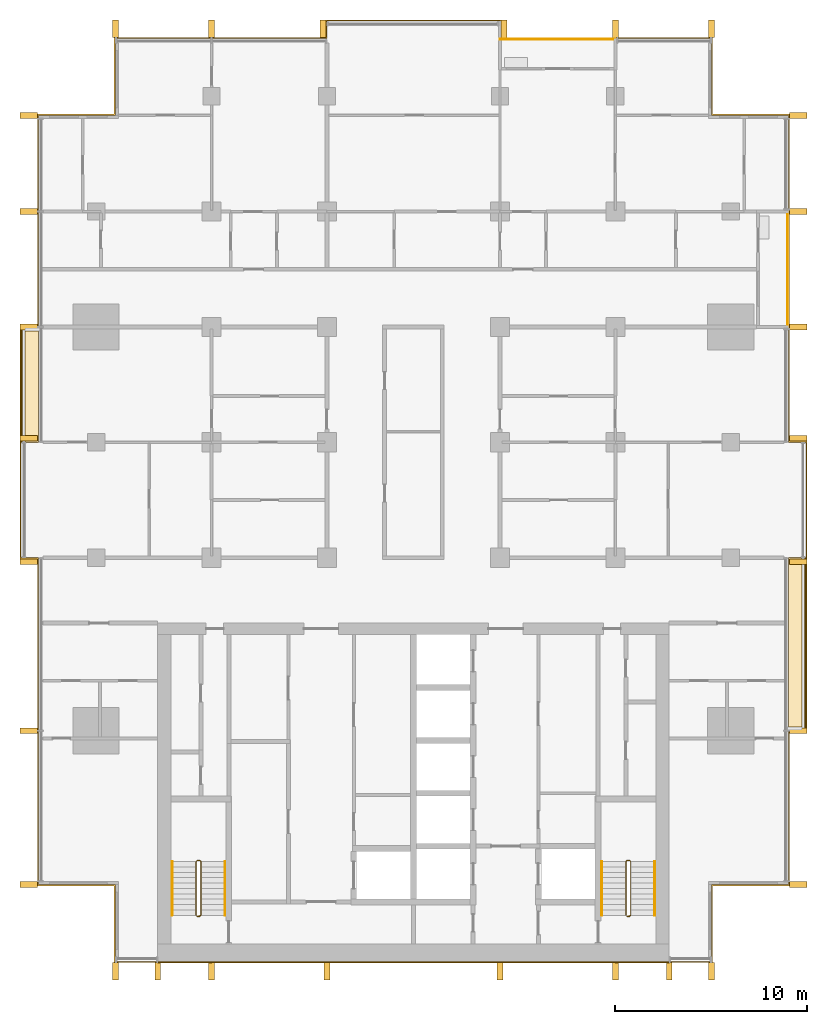
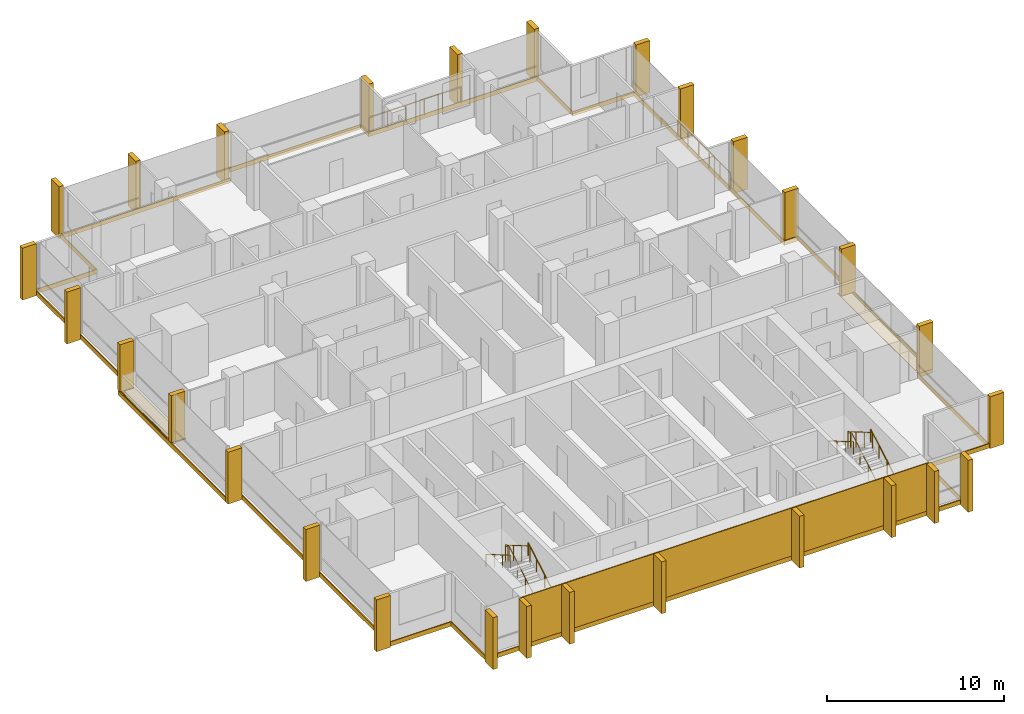
# One storey, part 17 of 17: 28 shading devices, 10 coverings, 8 railings.
"""IFC4 building model written with IfcOpenShell, lengths in metres."""

from ifc_helpers import new_model, si_unit, direction, frame, origin, origin_2d, place, context, subcontext, project, spatial, polyline, rectangle, circle, outline, extrude, material, layer, layer_set, type_object, element, save


model = new_model("IFC4")

# Units and contexts
model_context = context("Model", 3, precision=1e-05, world=origin(), true_north=direction((0.0, 1.0)))
body_context = subcontext(model_context, "Body", "Model", "MODEL_VIEW")
ifc_project = project(units=[si_unit("LENGTHUNIT", "METRE"), si_unit("AREAUNIT", "SQUARE_METRE"), si_unit("VOLUMEUNIT", "CUBIC_METRE"), si_unit("PLANEANGLEUNIT", "RADIAN"), si_unit("MASSUNIT", "GRAM", prefix="KILO")], contexts=[model_context])

# Site, building, storey
site_placement = place(None, origin())
site = spatial("IfcSite", under=ifc_project, at=site_placement, CompositionType="ELEMENT")
building_placement = place(site_placement, origin())
building = spatial("IfcBuilding", under=site, at=building_placement, Name="Finial Court Residences", CompositionType="ELEMENT")
storey_placement = place(building_placement, frame((0.0, 0.0, 170.89990234375)))
storey = spatial("IfcBuildingStorey", under=building, at=storey_placement, Name="L42", CompositionType="ELEMENT", Elevation=170.89990234375)

# Railings
ifc_material_1 = material(Name="Bronze anodised aluminium", Category="aluminium")
railing_type_1 = type_object("IfcRailingType", Name="Balcony guard 1100", PredefinedType="GUARDRAIL", material=ifc_material_1)
railing_1_placement = place(storey_placement, frame((4.5, 22.449951171875, 0.0)))
element("IfcRailing", 1, at=railing_1_placement, inside=storey, type_object=railing_type_1, Name="E-L42-BALN4-R", PredefinedType="GUARDRAIL", context=body_context, shape_type="SweptSolid", body=[
    extrude(circle(Radius=0.02392578125, at=origin_2d()), frame((0.0, 0.0, 1.076171875), z_axis=(1.0, 0.0, 0.0), x_axis=(0.0, 1.0, 0.0)), (0.0, 0.0, 1.0), 6.0),
    extrude(circle(Radius=0.02099609375, at=origin_2d()), origin(), (0.0, 0.0, 1.0), 1.052001953125),
    extrude(circle(Radius=0.02099609375, at=origin_2d()), frame((1.199951171875, 0.0, 0.0)), (0.0, 0.0, 1.0), 1.052001953125),
    extrude(circle(Radius=0.02099609375, at=origin_2d()), frame((2.39990234375, 0.0, 0.0)), (0.0, 0.0, 1.0), 1.052001953125),
    extrude(circle(Radius=0.02099609375, at=origin_2d()), frame((3.60009765625, 0.0, 0.0)), (0.0, 0.0, 1.0), 1.052001953125),
    extrude(circle(Radius=0.02099609375, at=origin_2d()), frame((4.800048828125, 0.0, 0.0)), (0.0, 0.0, 1.0), 1.052001953125),
    extrude(circle(Radius=0.02099609375, at=origin_2d()), frame((6.0, 0.0, 0.0)), (0.0, 0.0, 1.0), 1.052001953125),
])
railing_2_placement = place(storey_placement, frame((19.449951171875, 7.5, 0.0)))
element("IfcRailing", 2, at=railing_2_placement, inside=storey, type_object=railing_type_1, Name="E-L42-BALE5-R", PredefinedType="GUARDRAIL", context=body_context, shape_type="SweptSolid", body=[
    extrude(circle(Radius=0.02392578125, at=origin_2d()), frame((0.0, 0.0, 1.076171875), z_axis=(0.0, 1.0, 0.0), x_axis=(-1.0, 0.0, 0.0)), (0.0, 0.0, 1.0), 6.0),
    extrude(circle(Radius=0.02099609375, at=origin_2d()), origin(), (0.0, 0.0, 1.0), 1.052001953125),
    extrude(circle(Radius=0.02099609375, at=origin_2d()), frame((0.0, 1.199951171875, 0.0)), (0.0, 0.0, 1.0), 1.052001953125),
    extrude(circle(Radius=0.02099609375, at=origin_2d()), frame((0.0, 2.39990234375, 0.0)), (0.0, 0.0, 1.0), 1.052001953125),
    extrude(circle(Radius=0.02099609375, at=origin_2d()), frame((0.0, 3.60009765625, 0.0)), (0.0, 0.0, 1.0), 1.052001953125),
    extrude(circle(Radius=0.02099609375, at=origin_2d()), frame((0.0, 4.800048828125, 0.0)), (0.0, 0.0, 1.0), 1.052001953125),
    extrude(circle(Radius=0.02099609375, at=origin_2d()), frame((0.0, 6.0, 0.0)), (0.0, 0.0, 1.0), 1.052001953125),
])

# Coverings
ifc_material_2 = material(Name="Natural limestone", Category="masonry")
ifc_layer_1 = layer(ifc_material_2, 0.06005859375)
ifc_layer_set_1 = layer_set([ifc_layer_1], Name="Limestone cladding to the blind core face 60")
covering_type_1 = type_object("IfcCoveringType", Name="Limestone cladding to the blind core face 60", PredefinedType="CLADDING", material=ifc_layer_set_1)
covering_1_placement = place(storey_placement, origin())
element("IfcCovering", 3, at=covering_1_placement, inside=storey, type_object=covering_type_1, Name="E-L42-CLAD1", PredefinedType="CLADDING", context=body_context, shape_type="SweptSolid", body=[
    extrude(outline(polyline([(-10.5, -25.56005859375), (-10.5, -25.5), (-13.300048828125, -25.5), (-13.300048828125, -25.56005859375), (-10.5, -25.56005859375)])), origin(), (0.0, 0.0, 1.0), 3.300048828125),
])
covering_2_placement = place(storey_placement, origin())
element("IfcCovering", 4, at=covering_2_placement, inside=storey, type_object=covering_type_1, Name="E-L42-CLAD2", PredefinedType="CLADDING", context=body_context, shape_type="SweptSolid", body=[
    extrude(outline(polyline([(-4.5, -25.56005859375), (-4.5, -25.5), (-10.5, -25.5), (-10.5, -25.56005859375), (-4.5, -25.56005859375)])), origin(), (0.0, 0.0, 1.0), 3.300048828125),
])
covering_3_placement = place(storey_placement, origin())
element("IfcCovering", 5, at=covering_3_placement, inside=storey, type_object=covering_type_1, Name="E-L42-CLAD3", PredefinedType="CLADDING", context=body_context, shape_type="SweptSolid", body=[
    extrude(outline(polyline([(4.5, -25.56005859375), (4.5, -25.5), (-4.5, -25.5), (-4.5, -25.56005859375), (4.5, -25.56005859375)])), origin(), (0.0, 0.0, 1.0), 3.300048828125),
])
covering_4_placement = place(storey_placement, origin())
element("IfcCovering", 6, at=covering_4_placement, inside=storey, type_object=covering_type_1, Name="E-L42-CLAD4", PredefinedType="CLADDING", context=body_context, shape_type="SweptSolid", body=[
    extrude(outline(polyline([(10.5, -25.56005859375), (10.5, -25.5), (4.5, -25.5), (4.5, -25.56005859375), (10.5, -25.56005859375)])), origin(), (0.0, 0.0, 1.0), 3.300048828125),
])
covering_5_placement = place(storey_placement, origin())
element("IfcCovering", 7, at=covering_5_placement, inside=storey, type_object=covering_type_1, Name="E-L42-CLAD5", PredefinedType="CLADDING", context=body_context, shape_type="SweptSolid", body=[
    extrude(outline(polyline([(13.300048828125, -25.56005859375), (13.300048828125, -25.5), (10.5, -25.5), (10.5, -25.56005859375), (13.300048828125, -25.56005859375)])), origin(), (0.0, 0.0, 1.0), 3.300048828125),
])

# Shading devices
shading_device_type = type_object("IfcShadingDeviceType", Name="Limestone fin 300 x 900", PredefinedType="USERDEFINED", material=ifc_material_2)
for number, where, z_axis, x_axis, name in (
    (8, (-15.5, 23.010009765625, -0.300048828125), (0.0, 0.0, 1.0), (1.0, 0.0, 0.0), "E-L42-FIN-N1"),
    (9, (-10.5, 23.010009765625, -0.300048828125), (0.0, 0.0, 1.0), (1.0, 0.0, 0.0), "E-L42-FIN-N2"),
    (10, (-4.7099609375, 23.010009765625, -0.300048828125), (0.0, 0.0, 1.0), (1.0, 0.0, 0.0), "E-L42-FIN-N3"),
    (11, (4.7099609375, 23.010009765625, -0.300048828125), (0.0, 0.0, 1.0), (1.0, 0.0, 0.0), "E-L42-FIN-N4"),
    (12, (10.5, 23.010009765625, -0.300048828125), (0.0, 0.0, 1.0), (1.0, 0.0, 0.0), "E-L42-FIN-N5"),
    (13, (15.5, 23.010009765625, -0.300048828125), (0.0, 0.0, 1.0), (1.0, 0.0, 0.0), "E-L42-FIN-N6"),
):
    element("IfcShadingDevice", number, at=place(storey_placement, frame(where, z_axis=z_axis, x_axis=x_axis)), inside=storey, type_object=shading_device_type, Name=name, ObjectType="FIN", PredefinedType="USERDEFINED", context=body_context, shape_type="SweptSolid", body=[
        extrude(rectangle(XDim=0.300048828125, YDim=0.89990234375, at=origin_2d()), origin(), (0.0, 0.0, 1.0), 3.580078125),
    ])
shading_device_placement = place(storey_placement, frame((20.010009765625, -21.5, -0.300048828125), z_axis=(0.0, 0.0, 1.0), x_axis=(1.0, 0.0, 0.0)))
element("IfcShadingDevice", 14, at=shading_device_placement, inside=storey, type_object=shading_device_type, Name="E-L42-FIN-E7", ObjectType="FIN", PredefinedType="USERDEFINED", context=body_context, shape_type="SweptSolid", body=[
    extrude(rectangle(XDim=0.89990234375, YDim=0.300048828125, at=origin_2d()), origin(), (0.0, 0.0, 1.0), 3.580078125),
])
for number, where, z_axis, x_axis, name in (
    (15, (20.010009765625, -13.5, 0.0400390625), (0.0, 0.0, 1.0), (1.0, 0.0, 0.0), "E-L42-FIN-E8"),
    (16, (20.010009765625, -4.7099609375, 0.0400390625), (0.0, 0.0, 1.0), (1.0, 0.0, 0.0), "E-L42-FIN-E9"),
):
    element("IfcShadingDevice", number, at=place(storey_placement, frame(where, z_axis=z_axis, x_axis=x_axis)), inside=storey, type_object=shading_device_type, Name=name, ObjectType="FIN", PredefinedType="USERDEFINED", context=body_context, shape_type="SweptSolid", body=[
        extrude(rectangle(XDim=0.89990234375, YDim=0.300048828125, at=origin_2d()), origin(), (0.0, 0.0, 1.0), 3.239990234375),
    ])
for number, where, z_axis, x_axis, name in (
    (17, (20.010009765625, 1.7099609375, -0.300048828125), (0.0, 0.0, 1.0), (1.0, 0.0, 0.0), "E-L42-FIN-E10"),
    (18, (20.010009765625, 7.5, -0.300048828125), (0.0, 0.0, 1.0), (1.0, 0.0, 0.0), "E-L42-FIN-E11"),
    (19, (20.010009765625, 13.5, -0.300048828125), (0.0, 0.0, 1.0), (1.0, 0.0, 0.0), "E-L42-FIN-E12"),
    (20, (20.010009765625, 18.5, -0.300048828125), (0.0, 0.0, 1.0), (1.0, 0.0, 0.0), "E-L42-FIN-E13"),
):
    element("IfcShadingDevice", number, at=place(storey_placement, frame(where, z_axis=z_axis, x_axis=x_axis)), inside=storey, type_object=shading_device_type, Name=name, ObjectType="FIN", PredefinedType="USERDEFINED", context=body_context, shape_type="SweptSolid", body=[
        extrude(rectangle(XDim=0.89990234375, YDim=0.300048828125, at=origin_2d()), origin(), (0.0, 0.0, 1.0), 3.580078125),
    ])
for number, where, z_axis, x_axis, name in (
    (21, (-15.5, -26.010009765625, -0.300048828125), (0.0, 0.0, 1.0), (1.0, 0.0, 0.0), "E-L42-FIN-S14"),
    (22, (-13.300048828125, -26.010009765625, -0.300048828125), (0.0, 0.0, 1.0), (1.0, 0.0, 0.0), "E-L42-FIN-S15"),
    (23, (-10.5, -26.010009765625, -0.300048828125), (0.0, 0.0, 1.0), (1.0, 0.0, 0.0), "E-L42-FIN-S16"),
    (24, (-4.5, -26.010009765625, -0.300048828125), (0.0, 0.0, 1.0), (1.0, 0.0, 0.0), "E-L42-FIN-S17"),
    (25, (4.5, -26.010009765625, -0.300048828125), (0.0, 0.0, 1.0), (1.0, 0.0, 0.0), "E-L42-FIN-S18"),
    (26, (10.5, -26.010009765625, -0.300048828125), (0.0, 0.0, 1.0), (1.0, 0.0, 0.0), "E-L42-FIN-S19"),
    (27, (13.300048828125, -26.010009765625, -0.300048828125), (0.0, 0.0, 1.0), (1.0, 0.0, 0.0), "E-L42-FIN-S20"),
    (28, (15.5, -26.010009765625, -0.300048828125), (0.0, 0.0, 1.0), (1.0, 0.0, 0.0), "E-L42-FIN-S21"),
):
    element("IfcShadingDevice", number, at=place(storey_placement, frame(where, z_axis=z_axis, x_axis=x_axis)), inside=storey, type_object=shading_device_type, Name=name, ObjectType="FIN", PredefinedType="USERDEFINED", context=body_context, shape_type="SweptSolid", body=[
        extrude(rectangle(XDim=0.300048828125, YDim=0.89990234375, at=origin_2d()), origin(), (0.0, 0.0, 1.0), 3.580078125),
    ])
for number, where, z_axis, x_axis, name in (
    (29, (-20.010009765625, -21.5, -0.300048828125), (0.0, 0.0, 1.0), (1.0, 0.0, 0.0), "E-L42-FIN-W22"),
    (30, (-20.010009765625, -13.5, -0.300048828125), (0.0, 0.0, 1.0), (1.0, 0.0, 0.0), "E-L42-FIN-W23"),
    (31, (-20.010009765625, -4.7099609375, -0.300048828125), (0.0, 0.0, 1.0), (1.0, 0.0, 0.0), "E-L42-FIN-W24"),
):
    element("IfcShadingDevice", number, at=place(storey_placement, frame(where, z_axis=z_axis, x_axis=x_axis)), inside=storey, type_object=shading_device_type, Name=name, ObjectType="FIN", PredefinedType="USERDEFINED", context=body_context, shape_type="SweptSolid", body=[
        extrude(rectangle(XDim=0.89990234375, YDim=0.300048828125, at=origin_2d()), origin(), (0.0, 0.0, 1.0), 3.580078125),
    ])
for number, where, z_axis, x_axis, name in (
    (32, (-20.010009765625, 1.7099609375, 0.0400390625), (0.0, 0.0, 1.0), (1.0, 0.0, 0.0), "E-L42-FIN-W25"),
    (33, (-20.010009765625, 7.5, 0.0400390625), (0.0, 0.0, 1.0), (1.0, 0.0, 0.0), "E-L42-FIN-W26"),
):
    element("IfcShadingDevice", number, at=place(storey_placement, frame(where, z_axis=z_axis, x_axis=x_axis)), inside=storey, type_object=shading_device_type, Name=name, ObjectType="FIN", PredefinedType="USERDEFINED", context=body_context, shape_type="SweptSolid", body=[
        extrude(rectangle(XDim=0.89990234375, YDim=0.300048828125, at=origin_2d()), origin(), (0.0, 0.0, 1.0), 3.239990234375),
    ])
for number, where, z_axis, x_axis, name in (
    (34, (-20.010009765625, 13.5, -0.300048828125), (0.0, 0.0, 1.0), (1.0, 0.0, 0.0), "E-L42-FIN-W27"),
    (35, (-20.010009765625, 18.5, -0.300048828125), (0.0, 0.0, 1.0), (1.0, 0.0, 0.0), "E-L42-FIN-W28"),
):
    element("IfcShadingDevice", number, at=place(storey_placement, frame(where, z_axis=z_axis, x_axis=x_axis)), inside=storey, type_object=shading_device_type, Name=name, ObjectType="FIN", PredefinedType="USERDEFINED", context=body_context, shape_type="SweptSolid", body=[
        extrude(rectangle(XDim=0.89990234375, YDim=0.300048828125, at=origin_2d()), origin(), (0.0, 0.0, 1.0), 3.580078125),
    ])

# Coverings
ifc_material_3 = material(Name="Pale limestone", Category="masonry")
ifc_layer_2 = layer(ifc_material_3, 0.06005859375)
ifc_layer_set_2 = layer_set([ifc_layer_2], Name="Pale limestone slab-edge band 60")
covering_type_2 = type_object("IfcCoveringType", Name="Pale limestone slab-edge band 60", PredefinedType="CLADDING", material=ifc_layer_set_2)
covering_6_placement = place(storey_placement, frame((0.0, 0.0, -0.2998046875)))
element("IfcCovering", 36, at=covering_6_placement, inside=storey, type_object=covering_type_2, Name="E-L42-BAND1", PredefinedType="CLADDING", context=body_context, shape_type="SweptSolid", body=[
    extrude(outline(polyline([(15.56005859375, -21.56005859375), (15.56005859375, -25.56005859375), (-15.56005859375, -25.56005859375), (-15.56005859375, -21.56005859375), (-19.56005859375, -21.56005859375), (-19.56005859375, -4.56005859375), (-20.4599609375, -4.56005859375), (-20.4599609375, 7.56005859375), (-19.56005859375, 7.56005859375), (-19.56005859375, 18.56005859375), (-15.56005859375, 18.56005859375), (-15.56005859375, 22.56005859375), (-4.56005859375, 22.56005859375), (-4.56005859375, 23.4599609375), (4.56005859375, 23.4599609375), (4.56005859375, 22.56005859375), (15.56005859375, 22.56005859375), (15.56005859375, 18.56005859375), (19.56005859375, 18.56005859375), (19.56005859375, 1.56005859375), (20.4599609375, 1.56005859375), (20.4599609375, -13.56005859375), (19.56005859375, -13.56005859375), (19.56005859375, -21.56005859375), (15.56005859375, -21.56005859375)]), holes=[polyline([(19.5, -13.5), (20.39990234375, -13.5), (20.39990234375, -4.5), (20.39990234375, 1.5), (19.5, 1.5), (19.5, 7.5), (19.5, 13.5), (19.5, 18.5), (15.5, 18.5), (15.5, 22.5), (10.5, 22.5), (4.5, 22.5), (4.5, 23.39990234375), (-4.5, 23.39990234375), (-4.5, 22.5), (-15.5, 22.5), (-15.5, 18.5), (-19.5, 18.5), (-19.5, 7.5), (-20.39990234375, 7.5), (-20.39990234375, 1.5), (-20.39990234375, -4.5), (-19.5, -4.5), (-19.5, -21.5), (-15.5, -21.5), (-15.5, -25.5), (15.5, -25.5), (15.5, -21.5), (19.5, -21.5), (19.5, -13.5)])]), origin(), (0.0, 0.0, 1.0), 0.2998046875),
])
ifc_material_4 = material(Name="Bitumen membrane")
ifc_layer_3 = layer(ifc_material_4, 0.0400390625)
ifc_layer_set_3 = layer_set([ifc_layer_3], Name="Push box roofing, bitumen membrane 40")
covering_type_3 = type_object("IfcCoveringType", Name="Push box roofing, bitumen membrane 40", PredefinedType="ROOFING", material=ifc_layer_set_3)
covering_7_placement = place(storey_placement, origin())
element("IfcCovering", 37, at=covering_7_placement, inside=storey, type_object=covering_type_3, Name="E-L42-LED1", PredefinedType="ROOFING", context=body_context, shape_type="SweptSolid", body=[
    extrude(outline(polyline([(-19.5, 7.449951171875), (-20.199951171875, 7.449951171875), (-20.35009765625, 7.449951171875), (-20.35009765625, 1.5), (-20.39990234375, 1.5), (-20.39990234375, 7.5), (-19.5, 7.5), (-19.5, 7.449951171875)])), origin(), (0.0, 0.0, 1.0), 0.0400390625),
])
covering_8_placement = place(storey_placement, origin())
element("IfcCovering", 38, at=covering_8_placement, inside=storey, type_object=covering_type_3, Name="E-L42-LED1b", PredefinedType="ROOFING", context=body_context, shape_type="SweptSolid", body=[
    extrude(outline(polyline([(-19.5, 1.5), (-20.199951171875, 1.5), (-20.199951171875, 7.300048828125), (-19.5, 7.300048828125), (-19.5, 1.5)])), origin(), (0.0, 0.0, 1.0), 0.0400390625),
])
covering_9_placement = place(storey_placement, origin())
element("IfcCovering", 39, at=covering_9_placement, inside=storey, type_object=covering_type_3, Name="E-L42-LED2", PredefinedType="ROOFING", context=body_context, shape_type="SweptSolid", body=[
    extrude(outline(polyline([(19.5, -13.449951171875), (20.199951171875, -13.449951171875), (20.35009765625, -13.449951171875), (20.35009765625, -4.5), (20.39990234375, -4.5), (20.39990234375, -13.5), (19.5, -13.5), (19.5, -13.449951171875)])), origin(), (0.0, 0.0, 1.0), 0.0400390625),
])
covering_10_placement = place(storey_placement, origin())
element("IfcCovering", 40, at=covering_10_placement, inside=storey, type_object=covering_type_3, Name="E-L42-LED2b", PredefinedType="ROOFING", context=body_context, shape_type="SweptSolid", body=[
    extrude(outline(polyline([(19.5, -4.5), (20.199951171875, -4.5), (20.199951171875, -13.300048828125), (19.5, -13.300048828125), (19.5, -4.5)])), origin(), (0.0, 0.0, 1.0), 0.0400390625),
])

# Railings
ifc_material_5 = material(Name="Stainless steel railing", Category="steel")
railing_type_2 = type_object("IfcRailingType", Name="Stair guard 1100", PredefinedType="GUARDRAIL", material=ifc_material_5)
railing_3_placement = place(storey_placement, frame((-11.10009765625, -23.14990234375, 0.0)))
element("IfcRailing", 41, at=railing_3_placement, inside=storey, type_object=railing_type_2, Name="L42 ST-1 stair guard 1", PredefinedType="GUARDRAIL", context=body_context, shape_type="SweptSolid", body=[
    extrude(circle(Radius=0.02392578125, at=origin_2d()), frame((0.0, 0.0, 1.076171875), z_axis=(-1.0, 0.0, 0.0), x_axis=(0.0, -1.0, 0.0)), (0.0, 0.0, 1.0), 0.14990234375),
    extrude(circle(Radius=0.02392578125, at=origin_2d()), frame((-0.14990234375, 0.0, 1.076171875), z_axis=(0.759565762229, 0.189195867515, 0.622306015208), x_axis=(-0.241699205484, 0.970351222016, 0.0)), (0.0, 0.0, 1.0), 0.26318359375),
    extrude(circle(Radius=0.02392578125, at=origin_2d()), frame((0.050048828125, 0.0498046875, 1.23974609375), z_axis=(0.0, 0.863393664356, 0.504530851732), x_axis=(-1.0, 0.0, 0.0)), (0.0, 0.0, 1.0), 3.2431640625),
    extrude(circle(Radius=0.02392578125, at=origin_2d()), frame((0.050048828125, 2.849853515625, 2.8759765625), z_axis=(-0.707106781187, 0.707106781187, 0.0), x_axis=(-0.707106781187, -0.707106781187, 0.0)), (0.0, 0.0, 1.0), 0.07080078125),
    extrude(circle(Radius=0.02392578125, at=origin_2d()), frame((0.0, 2.89990234375, 2.8759765625), z_axis=(-1.0, 0.0, 0.0), x_axis=(0.0, -1.0, 0.0)), (0.0, 0.0, 1.0), 0.14990234375),
    extrude(circle(Radius=0.02392578125, at=origin_2d()), frame((-0.14990234375, 2.89990234375, 2.8759765625), z_axis=(-0.280808744504, -0.280808744504, 0.917765164963), x_axis=(0.707106781187, -0.707106781187, 0.0)), (0.0, 0.0, 1.0), 0.17822265625),
    extrude(circle(Radius=0.02392578125, at=origin_2d()), frame((-0.199951171875, 2.849853515625, 3.03955078125), z_axis=(0.0, -0.863360870873, 0.504586966384), x_axis=(1.0, 0.0, 0.0)), (0.0, 0.0, 1.0), 3.2431640625),
    extrude(circle(Radius=0.02099609375, at=origin_2d()), origin(), (0.0, 0.0, 1.0), 1.052001953125),
    extrude(circle(Radius=0.02099609375, at=origin_2d()), frame((-0.14990234375, 0.0, 0.0)), (0.0, 0.0, 1.0), 1.052001953125),
    extrude(circle(Radius=0.02099609375, at=origin_2d()), frame((0.050048828125, 0.0498046875, 0.163818359375)), (0.0, 0.0, 1.0), 1.052001953125),
    extrude(circle(Radius=0.02099609375, at=origin_2d()), frame((0.050048828125, 0.983154296875, 0.709228515625)), (0.0, 0.0, 1.0), 1.052001953125),
    extrude(circle(Radius=0.02099609375, at=origin_2d()), frame((0.050048828125, 1.91650390625, 1.254638671875)), (0.0, 0.0, 1.0), 1.052001953125),
    extrude(circle(Radius=0.02099609375, at=origin_2d()), frame((0.050048828125, 2.849853515625, 1.800048828125)), (0.0, 0.0, 1.0), 1.052001953125),
    extrude(circle(Radius=0.02099609375, at=origin_2d()), frame((0.0, 2.89990234375, 1.800048828125)), (0.0, 0.0, 1.0), 1.052001953125),
    extrude(circle(Radius=0.02099609375, at=origin_2d()), frame((-0.14990234375, 2.89990234375, 1.800048828125)), (0.0, 0.0, 1.0), 1.052001953125),
    extrude(circle(Radius=0.02099609375, at=origin_2d()), frame((-0.199951171875, 2.849853515625, 1.963623046875)), (0.0, 0.0, 1.0), 1.052001953125),
    extrude(circle(Radius=0.02099609375, at=origin_2d()), frame((-0.199951171875, 1.91650390625, 2.509033203125)), (0.0, 0.0, 1.0), 1.052001953125),
    extrude(circle(Radius=0.02099609375, at=origin_2d()), frame((-0.199951171875, 0.983154296875, 3.0546875)), (0.0, 0.0, 1.0), 1.052001953125),
    extrude(circle(Radius=0.02099609375, at=origin_2d()), frame((-0.199951171875, 0.0498046875, 3.60009765625)), (0.0, 0.0, 1.0), 1.052001953125),
])
railing_4_placement = place(storey_placement, frame((11.25, -23.14990234375, 0.0)))
element("IfcRailing", 42, at=railing_4_placement, inside=storey, type_object=railing_type_2, Name="L42 ST-2 stair guard 1", PredefinedType="GUARDRAIL", context=body_context, shape_type="SweptSolid", body=[
    extrude(circle(Radius=0.02392578125, at=origin_2d()), frame((0.0, 0.0, 1.076171875), z_axis=(-1.0, 0.0, 0.0), x_axis=(0.0, -1.0, 0.0)), (0.0, 0.0, 1.0), 0.14990234375),
    extrude(circle(Radius=0.02392578125, at=origin_2d()), frame((-0.14990234375, 0.0, 1.076171875), z_axis=(0.759565762229, 0.189195867515, 0.622306015208), x_axis=(-0.241699205484, 0.970351222016, 0.0)), (0.0, 0.0, 1.0), 0.26318359375),
    extrude(circle(Radius=0.02392578125, at=origin_2d()), frame((0.050048828125, 0.0498046875, 1.23974609375), z_axis=(0.0, 0.863393664356, 0.504530851732), x_axis=(-1.0, 0.0, 0.0)), (0.0, 0.0, 1.0), 3.2431640625),
    extrude(circle(Radius=0.02392578125, at=origin_2d()), frame((0.050048828125, 2.849853515625, 2.8759765625), z_axis=(-0.707106781187, 0.707106781187, 0.0), x_axis=(-0.707106781187, -0.707106781187, 0.0)), (0.0, 0.0, 1.0), 0.07080078125),
    extrude(circle(Radius=0.02392578125, at=origin_2d()), frame((0.0, 2.89990234375, 2.8759765625), z_axis=(-1.0, 0.0, 0.0), x_axis=(0.0, -1.0, 0.0)), (0.0, 0.0, 1.0), 0.14990234375),
    extrude(circle(Radius=0.02392578125, at=origin_2d()), frame((-0.14990234375, 2.89990234375, 2.8759765625), z_axis=(-0.280808744504, -0.280808744504, 0.917765164963), x_axis=(0.707106781187, -0.707106781187, 0.0)), (0.0, 0.0, 1.0), 0.17822265625),
    extrude(circle(Radius=0.02392578125, at=origin_2d()), frame((-0.199951171875, 2.849853515625, 3.03955078125), z_axis=(0.0, -0.863360870873, 0.504586966384), x_axis=(1.0, 0.0, 0.0)), (0.0, 0.0, 1.0), 3.2431640625),
    extrude(circle(Radius=0.02099609375, at=origin_2d()), origin(), (0.0, 0.0, 1.0), 1.052001953125),
    extrude(circle(Radius=0.02099609375, at=origin_2d()), frame((-0.14990234375, 0.0, 0.0)), (0.0, 0.0, 1.0), 1.052001953125),
    extrude(circle(Radius=0.02099609375, at=origin_2d()), frame((0.050048828125, 0.0498046875, 0.163818359375)), (0.0, 0.0, 1.0), 1.052001953125),
    extrude(circle(Radius=0.02099609375, at=origin_2d()), frame((0.050048828125, 0.983154296875, 0.709228515625)), (0.0, 0.0, 1.0), 1.052001953125),
    extrude(circle(Radius=0.02099609375, at=origin_2d()), frame((0.050048828125, 1.91650390625, 1.254638671875)), (0.0, 0.0, 1.0), 1.052001953125),
    extrude(circle(Radius=0.02099609375, at=origin_2d()), frame((0.050048828125, 2.849853515625, 1.800048828125)), (0.0, 0.0, 1.0), 1.052001953125),
    extrude(circle(Radius=0.02099609375, at=origin_2d()), frame((0.0, 2.89990234375, 1.800048828125)), (0.0, 0.0, 1.0), 1.052001953125),
    extrude(circle(Radius=0.02099609375, at=origin_2d()), frame((-0.14990234375, 2.89990234375, 1.800048828125)), (0.0, 0.0, 1.0), 1.052001953125),
    extrude(circle(Radius=0.02099609375, at=origin_2d()), frame((-0.199951171875, 2.849853515625, 1.963623046875)), (0.0, 0.0, 1.0), 1.052001953125),
    extrude(circle(Radius=0.02099609375, at=origin_2d()), frame((-0.199951171875, 1.91650390625, 2.509033203125)), (0.0, 0.0, 1.0), 1.052001953125),
    extrude(circle(Radius=0.02099609375, at=origin_2d()), frame((-0.199951171875, 0.983154296875, 3.0546875)), (0.0, 0.0, 1.0), 1.052001953125),
    extrude(circle(Radius=0.02099609375, at=origin_2d()), frame((-0.199951171875, 0.0498046875, 3.60009765625)), (0.0, 0.0, 1.0), 1.052001953125),
])
railing_type_3 = type_object("IfcRailingType", Name="Stair handrail 900", PredefinedType="HANDRAIL", material=ifc_material_5)
railing_5_placement = place(storey_placement, frame((-9.800048828125, -23.10009765625, 0.163818359375)))
element("IfcRailing", 43, at=railing_5_placement, inside=storey, type_object=railing_type_3, Name="L42 ST-1 stair handrail 1", PredefinedType="HANDRAIL", context=body_context, shape_type="SweptSolid", body=[
    extrude(circle(Radius=0.02392578125, at=origin_2d()), frame((0.0, 0.0, 0.8759765625), z_axis=(0.0, 0.863393664356, 0.504530851732), x_axis=(-1.0, 0.0, 0.0)), (0.0, 0.0, 1.0), 3.2431640625),
    extrude(circle(Radius=0.02099609375, at=origin_2d()), origin(), (0.0, 0.0, 1.0), 0.851806640625),
    extrude(circle(Radius=0.02099609375, at=origin_2d()), frame((0.0, 0.933349609375, 0.54541015625)), (0.0, 0.0, 1.0), 0.851806640625),
    extrude(circle(Radius=0.02099609375, at=origin_2d()), frame((0.0, 1.86669921875, 1.0908203125)), (0.0, 0.0, 1.0), 0.851806640625),
    extrude(circle(Radius=0.02099609375, at=origin_2d()), frame((0.0, 2.800048828125, 1.63623046875)), (0.0, 0.0, 1.0), 0.851806640625),
])
railing_6_placement = place(storey_placement, frame((-12.550048828125, -20.300048828125, 1.963623046875)))
element("IfcRailing", 44, at=railing_6_placement, inside=storey, type_object=railing_type_3, Name="L42 ST-1 stair handrail 2", PredefinedType="HANDRAIL", context=body_context, shape_type="SweptSolid", body=[
    extrude(circle(Radius=0.02392578125, at=origin_2d()), frame((0.0, 0.0, 0.8759765625), z_axis=(0.0, -0.863360870873, 0.504586966384), x_axis=(1.0, 0.0, 0.0)), (0.0, 0.0, 1.0), 3.2431640625),
    extrude(circle(Radius=0.02099609375, at=origin_2d()), origin(), (0.0, 0.0, 1.0), 0.851806640625),
    extrude(circle(Radius=0.02099609375, at=origin_2d()), frame((0.0, -0.933349609375, 0.54541015625)), (0.0, 0.0, 1.0), 0.851806640625),
    extrude(circle(Radius=0.02099609375, at=origin_2d()), frame((0.0, -1.86669921875, 1.091064453125)), (0.0, 0.0, 1.0), 0.851806640625),
    extrude(circle(Radius=0.02099609375, at=origin_2d()), frame((0.0, -2.800048828125, 1.636474609375)), (0.0, 0.0, 1.0), 0.851806640625),
])
railing_7_placement = place(storey_placement, frame((12.550048828125, -23.10009765625, 0.163818359375)))
element("IfcRailing", 45, at=railing_7_placement, inside=storey, type_object=railing_type_3, Name="L42 ST-2 stair handrail 1", PredefinedType="HANDRAIL", context=body_context, shape_type="SweptSolid", body=[
    extrude(circle(Radius=0.02392578125, at=origin_2d()), frame((0.0, 0.0, 0.8759765625), z_axis=(0.0, 0.863393664356, 0.504530851732), x_axis=(-1.0, 0.0, 0.0)), (0.0, 0.0, 1.0), 3.2431640625),
    extrude(circle(Radius=0.02099609375, at=origin_2d()), origin(), (0.0, 0.0, 1.0), 0.851806640625),
    extrude(circle(Radius=0.02099609375, at=origin_2d()), frame((0.0, 0.933349609375, 0.54541015625)), (0.0, 0.0, 1.0), 0.851806640625),
    extrude(circle(Radius=0.02099609375, at=origin_2d()), frame((0.0, 1.86669921875, 1.0908203125)), (0.0, 0.0, 1.0), 0.851806640625),
    extrude(circle(Radius=0.02099609375, at=origin_2d()), frame((0.0, 2.800048828125, 1.63623046875)), (0.0, 0.0, 1.0), 0.851806640625),
])
railing_8_placement = place(storey_placement, frame((9.800048828125, -20.300048828125, 1.963623046875)))
element("IfcRailing", 46, at=railing_8_placement, inside=storey, type_object=railing_type_3, Name="L42 ST-2 stair handrail 2", PredefinedType="HANDRAIL", context=body_context, shape_type="SweptSolid", body=[
    extrude(circle(Radius=0.02392578125, at=origin_2d()), frame((0.0, 0.0, 0.8759765625), z_axis=(0.0, -0.863360870873, 0.504586966384), x_axis=(1.0, 0.0, 0.0)), (0.0, 0.0, 1.0), 3.2431640625),
    extrude(circle(Radius=0.02099609375, at=origin_2d()), origin(), (0.0, 0.0, 1.0), 0.851806640625),
    extrude(circle(Radius=0.02099609375, at=origin_2d()), frame((0.0, -0.933349609375, 0.54541015625)), (0.0, 0.0, 1.0), 0.851806640625),
    extrude(circle(Radius=0.02099609375, at=origin_2d()), frame((0.0, -1.86669921875, 1.091064453125)), (0.0, 0.0, 1.0), 0.851806640625),
    extrude(circle(Radius=0.02099609375, at=origin_2d()), frame((0.0, -2.800048828125, 1.636474609375)), (0.0, 0.0, 1.0), 0.851806640625),
])

save(model, "model.ifc")
